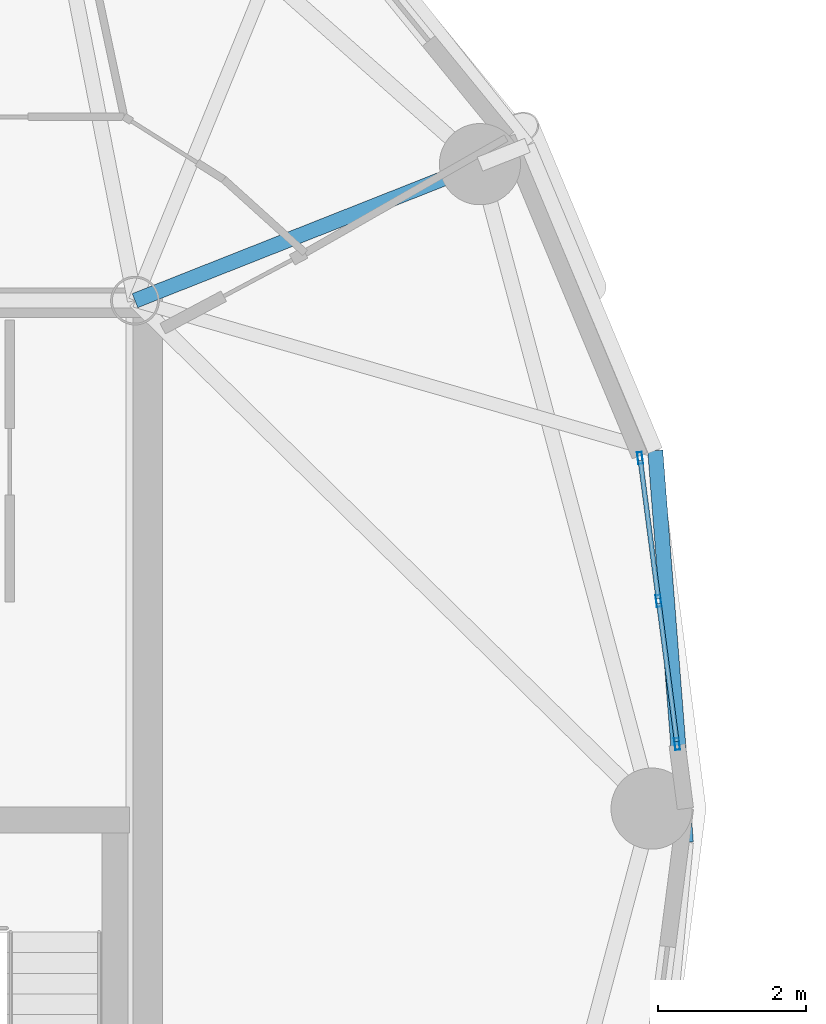
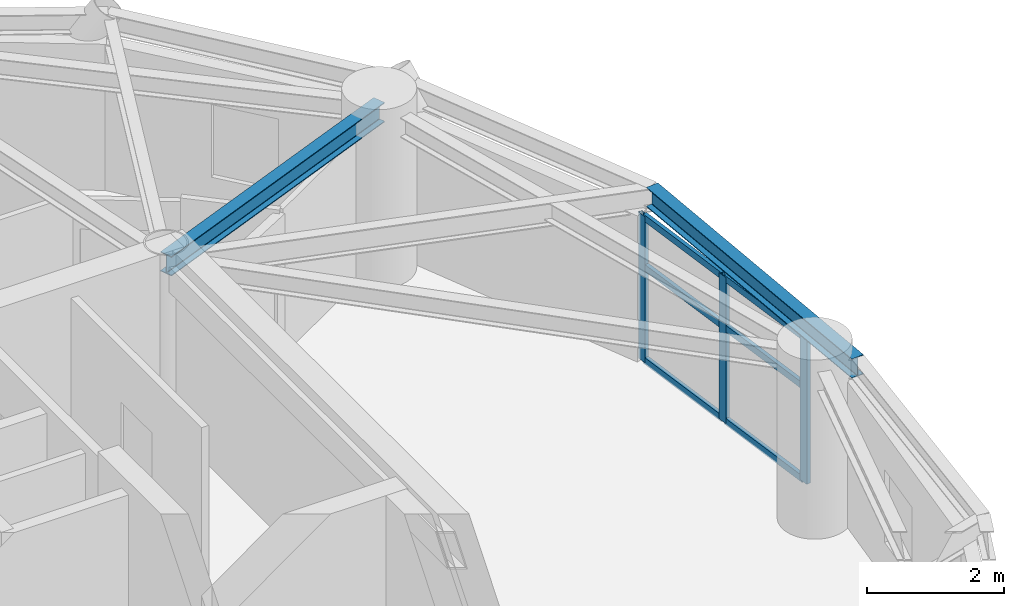
# One storey, part 3 of 15: 9 members, 2 beams, 1 element without a shape of its own.
"""IFC4 building model written with IfcOpenShell, lengths in metres."""

import ifcopenshell
import ifcopenshell.guid

model = None  # the IFC model being written
_history = None  # IfcOwnerHistory: only IFC2X3 demands one
_inside = {}  # id of a spatial element -> (the spatial element, [elements in it])
_under = {}  # id of a project, library or spatial element -> (it, [spatial elements below it])
_declared = {}  # id of a project -> (the project, [libraries it declares])
_typed = {}  # id of a type object -> (the type object, [elements of that type])
_made_of = {}  # id of a material, layer set ... -> (it, [elements and type objects made of it])


def new_model(schema):
    """Start an empty IFC model of exactly this schema.

    Asked for "IFC4X3", IfcOpenShell would pick the latest addendum, in which some entities
    have other attributes; the version numbers below select the first issue.
    IFC2X3 requires an IfcOwnerHistory on every rooted entity: one is made here for all.
    """
    global model, _history
    if schema == "IFC4X3":
        model = ifcopenshell.file(schema_version=(4, 3, 0, 0))
    else:
        model = ifcopenshell.file(schema=schema)
    _inside.clear()
    _under.clear()
    _declared.clear()
    _typed.clear()
    _made_of.clear()
    _history = None
    if model.schema == "IFC2X3":
        org = make("IfcOrganization", Name="unknown")
        user = make(
            "IfcPersonAndOrganization",
            ThePerson=make("IfcPerson", FamilyName="unknown"),
            TheOrganization=org,
        )
        app = make(
            "IfcApplication",
            ApplicationDeveloper=org,
            Version="unknown",
            ApplicationFullName="unknown",
            ApplicationIdentifier="unknown",
        )
        _history = make(
            "IfcOwnerHistory",
            OwningUser=user,
            OwningApplication=app,
            ChangeAction="ADDED",
            CreationDate=0,
        )
    return model


def make(cls, **values):
    """One entity of the class cls with the attributes given. An attribute that is None is left unset."""
    return model.create_entity(
        cls, **{name: value for name, value in values.items() if value is not None}
    )


def rooted(cls, **values):
    """An entity with a GlobalId (a new one), such as an element, a storey or a relation."""
    return make(cls, GlobalId=ifcopenshell.guid.new(), OwnerHistory=_history, **values)


def si_unit(unit_type, name, prefix=None):
    """IfcSIUnit, for example si_unit("LENGTHUNIT", "METRE", prefix="MILLI")."""
    return make("IfcSIUnit", UnitType=unit_type, Prefix=prefix, Name=name)


def assignment(units):
    """IfcUnitAssignment: the units of a project."""
    return None if units is None else make("IfcUnitAssignment", Units=units)


def point(xyz):
    """IfcCartesianPoint."""
    return None if xyz is None else make("IfcCartesianPoint", Coordinates=xyz)


def direction(xyz):
    """IfcDirection."""
    return None if xyz is None else make("IfcDirection", DirectionRatios=xyz)


def frame(location, z_axis=None, x_axis=None):
    """IfcAxis2Placement3D, a coordinate frame: its origin and axes. An axis left out is left unset."""
    return make(
        "IfcAxis2Placement3D",
        Location=point(location),
        Axis=direction(z_axis),
        RefDirection=direction(x_axis),
    )


def frame_2d(location, x_axis=None):
    """IfcAxis2Placement2D, a coordinate frame in the plane: its origin and x axis."""
    return make(
        "IfcAxis2Placement2D", Location=point(location), RefDirection=direction(x_axis)
    )


def origin():
    """The frame at (0, 0, 0) with its axes left unset."""
    return frame((0.0, 0.0, 0.0))


def origin_2d():
    """The frame at (0, 0) in the plane with its x axis left unset."""
    return frame_2d((0.0, 0.0))


def place(relative_to, where):
    """IfcLocalPlacement: puts the frame where relative to a parent placement (None: the world)."""
    return make(
        "IfcLocalPlacement", PlacementRelTo=relative_to, RelativePlacement=where
    )


def context(
    kind, dimensions, precision=None, world=None, true_north=None, identifier=None
):
    """IfcGeometricRepresentationContext, for example the 3D "Model" context."""
    return make(
        "IfcGeometricRepresentationContext",
        ContextIdentifier=identifier,
        ContextType=kind,
        CoordinateSpaceDimension=dimensions,
        Precision=precision,
        WorldCoordinateSystem=world,
        TrueNorth=true_north,
    )


def subcontext(parent, identifier, kind, view, scale=None):
    """IfcGeometricRepresentationSubContext, for example "Body" below "Model"."""
    return make(
        "IfcGeometricRepresentationSubContext",
        ContextIdentifier=identifier,
        ContextType=kind,
        ParentContext=parent,
        TargetScale=scale,
        TargetView=view,
    )


def project(units=None, contexts=None):
    """IfcProject with its units and contexts."""
    return rooted(
        "IfcProject",
        Name="project",
        RepresentationContexts=contexts,
        UnitsInContext=assignment(units),
    )


def spatial(cls, under=None, at=None, **own):
    """A site, building, storey or space (cls), placed at a placement, below another one or the project."""
    s = rooted(cls, ObjectPlacement=at, **own)
    if under is not None:
        _under.setdefault(under.id(), (under, []))[1].append(s)
    return s


def profile(cls, at=None, kind="AREA", **sizes):
    """A parametric profile (cls). Its sizes go by their IFC names, for example OverallWidth=200.0."""
    return make(cls, ProfileType=kind, Position=at, **sizes)


def hollow_rectangle(**sizes):
    """IfcRectangleHollowProfileDef."""
    return profile("IfcRectangleHollowProfileDef", **sizes)


def i_section(**sizes):
    """IfcIShapeProfileDef."""
    return profile("IfcIShapeProfileDef", **sizes)


def extrude(swept, where, along, depth):
    """IfcExtrudedAreaSolid: the profile swept, set in the frame where, extruded along a direction by depth."""
    return make(
        "IfcExtrudedAreaSolid",
        SweptArea=swept,
        Position=where,
        ExtrudedDirection=direction(along),
        Depth=depth,
    )


def shape(context_of_items, identifier, shape_type, items):
    """IfcShapeRepresentation: the items that make up one representation, for example the "Body"."""
    return make(
        "IfcShapeRepresentation",
        ContextOfItems=context_of_items,
        RepresentationIdentifier=identifier,
        RepresentationType=shape_type,
        Items=items,
    )


def material(Name=None, Category=None):
    """IfcMaterial."""
    return make("IfcMaterial", Name=Name, Category=Category)


def layer(
    of_material, thickness, ventilated=None, Name=None, Category=None, Priority=None
):
    """IfcMaterialLayer: one layer of a wall or slab, of a material (None: an air gap)."""
    return make(
        "IfcMaterialLayer",
        Material=of_material,
        LayerThickness=thickness,
        IsVentilated=ventilated,
        Name=Name,
        Category=Category,
        Priority=Priority,
    )


def layer_set(layers, Name=None):
    """IfcMaterialLayerSet."""
    return make("IfcMaterialLayerSet", MaterialLayers=layers, LayerSetName=Name)


def material_profile(
    of_material, cross_section, Name=None, Category=None, Priority=None
):
    """IfcMaterialProfile: a cross section and its material."""
    return make(
        "IfcMaterialProfile",
        Name=Name,
        Material=of_material,
        Profile=cross_section,
        Priority=Priority,
        Category=Category,
    )


def profile_set(profiles, Name=None, composite=None):
    """IfcMaterialProfileSet."""
    return make(
        "IfcMaterialProfileSet",
        Name=Name,
        MaterialProfiles=profiles,
        CompositeProfile=composite,
    )


def made_of(thing, what):
    """Note that an element or type object is made of a material, layer set ...; save() writes the relation."""
    if what is not None:
        _made_of.setdefault(what.id(), (what, []))[1].append(thing)
    return thing


def type_object(cls, material=None, **own):
    """A type object (cls), such as IfcWallType, which elements share."""
    return made_of(rooted(cls, **own), material)


def element(
    cls,
    number,
    at=None,
    inside=None,
    cuts=None,
    type_object=None,
    material=None,
    context=None,
    identifier="Body",
    shape_type=None,
    held_by="IfcProductDefinitionShape",
    body=None,
    shapes=None,
    **own,
):
    """One element of the class cls, such as IfcWall. Its Tag is "e" and its number.

    at: its placement. inside: the storey or other place that contains it. cuts: it is an
    opening in that element (IfcRelVoidsElement). A single representation is given by context,
    identifier, shape_type and body (its items); several are given by shapes. held_by: the class
    of the entity that holds the representations. save() writes the other relations.
    """
    e = rooted(cls, Tag="e%d" % number, ObjectPlacement=at, **own)
    if body is not None:
        shapes = [shape(context, identifier, shape_type, body)]
    if shapes is not None:
        e.Representation = make(held_by, Representations=shapes)
    if inside is not None:
        _inside.setdefault(inside.id(), (inside, []))[1].append(e)
    if cuts is not None:
        rooted(
            "IfcRelVoidsElement", RelatingBuildingElement=cuts, RelatedOpeningElement=e
        )
    if type_object is not None:
        _typed.setdefault(type_object.id(), (type_object, []))[1].append(e)
    return made_of(e, material)


def aggregate(whole, parts):
    """IfcRelAggregates: a whole, such as a stair, and the parts it consists of."""
    return rooted("IfcRelAggregates", RelatingObject=whole, RelatedObjects=parts)


def save(model, path):
    """Write the relations noted so far, then the file.

    IfcRelAggregates (storeys below a building ...), IfcRelContainedInSpatialStructure (elements
    in a storey), IfcRelDefinesByType, IfcRelAssociatesMaterial and IfcRelDeclares: one each for
    every whole, place, type object, material and project.
    """
    for whole, parts in _under.values():
        aggregate(whole, parts)
    for where, things in _inside.values():
        rooted(
            "IfcRelContainedInSpatialStructure",
            RelatedElements=things,
            RelatingStructure=where,
        )
    for kind, things in _typed.values():
        rooted("IfcRelDefinesByType", RelatedObjects=things, RelatingType=kind)
    for what, things in _made_of.values():
        rooted("IfcRelAssociatesMaterial", RelatedObjects=things, RelatingMaterial=what)
    for by, libraries in _declared.values():
        rooted("IfcRelDeclares", RelatingContext=by, RelatedDefinitions=libraries)
    model.write(path)


model = new_model("IFC4")

# Units and contexts
model_context = context("Model", 3, precision=1e-05, world=origin(), true_north=direction((0.0, 1.0)))
body_context = subcontext(model_context, "Body", "Model", "MODEL_VIEW")
ifc_project = project(units=[si_unit("LENGTHUNIT", "METRE"), si_unit("AREAUNIT", "SQUARE_METRE"), si_unit("VOLUMEUNIT", "CUBIC_METRE"), si_unit("PLANEANGLEUNIT", "RADIAN"), si_unit("MASSUNIT", "GRAM", prefix="KILO")], contexts=[model_context])

# Site, building, storey
site_placement = place(None, origin())
site = spatial("IfcSite", under=ifc_project, at=site_placement, CompositionType="ELEMENT")
building_placement = place(site_placement, origin())
building = spatial("IfcBuilding", under=site, at=building_placement, Name="Cununo Teusaquillo Station Towers", CompositionType="ELEMENT")
storey_placement = place(building_placement, frame((0.0, 0.0, 229.25)))
storey = spatial("IfcBuildingStorey", under=building, at=storey_placement, Name="L73", CompositionType="ELEMENT", Elevation=229.25)

# Beams
ifc_material_1 = material(Name="Steel ASTM A572 Grade 50", Category="steel")
ifc_material_profile_1 = material_profile(ifc_material_1, i_section(OverallWidth=0.2041015625, OverallDepth=0.35009765625, WebThickness=0.008544921875, FlangeThickness=0.01513671875, FilletRadius=0.011962890625, at=origin_2d()), Name="W14X48")
ifc_profile_set_1 = profile_set([ifc_material_profile_1], Name="Steel ASTM A572 Grade 50")
beam_type_1 = type_object("IfcBeamType", Name="BM-RAD-G3", PredefinedType="BEAM", material=ifc_profile_set_1)
beam_1_placement = place(storey_placement, frame((21.675048828125, 31.3798828125, 2.81494140625), z_axis=(0.929864104313, 0.367903176814, 0.0), x_axis=(-0.367903176814, 0.929864104313, 0.0)))
element("IfcBeam", 1, at=beam_1_placement, inside=storey, type_object=beam_type_1, Name="L73 Tower A Radial Girder 02A", PredefinedType="BEAM", context=body_context, shape_type="SweptSolid", body=[
    extrude(i_section(OverallWidth=0.2041015625, OverallDepth=0.35009765625, WebThickness=0.008544921875, FlangeThickness=0.01513671875, FilletRadius=0.011962890625, at=origin_2d()), origin(), (0.0, 0.0, 1.0), 5.02490234375),
])
ifc_material_2 = material(Name="Steel ASTM A572 Grade 50", Category="steel")
ifc_material_profile_2 = material_profile(ifc_material_2, i_section(OverallWidth=0.2041015625, OverallDepth=0.35009765625, WebThickness=0.008544921875, FlangeThickness=0.01513671875, FilletRadius=0.011962890625, at=origin_2d()), Name="W14X48")
ifc_profile_set_2 = profile_set([ifc_material_profile_2], Name="Steel ASTM A572 Grade 50")
beam_type_2 = type_object("IfcBeamType", Name="BM-RING-Z4", PredefinedType="SPANDREL", material=ifc_profile_set_2)
beam_2_placement = place(storey_placement, frame((29.135498046875, 24.044189453125, 2.81494140625), z_axis=(-0.077871988965, 0.996963366095, 0.0), x_axis=(-0.996963366095, -0.077871988965, 0.0)))
element("IfcBeam", 2, at=beam_2_placement, inside=storey, type_object=beam_type_2, Name="L73 Tower A Spandrel Ring Beam 01", PredefinedType="SPANDREL", context=body_context, shape_type="SweptSolid", body=[
    extrude(i_section(OverallWidth=0.2041015625, OverallDepth=0.35009765625, WebThickness=0.008544921875, FlangeThickness=0.01513671875, FilletRadius=0.011962890625, at=origin_2d()), origin(), (0.0, 0.0, 1.0), 5.3203125),
])

# Curtain wall, members
ifc_material_3 = material(Name="Ceramic-fritted dark low-E double glazing", Category="glass")
ifc_layer = layer(ifc_material_3, 0.179931640625)
ifc_layer_set = layer_set([ifc_layer], Name="Ceramic-fritted dark low-E double glazing")
curtain_wall_type = type_object("IfcCurtainWallType", Name="CW-SYS-07", PredefinedType="USERDEFINED", material=ifc_layer_set)
curtain_wall_placement = place(storey_placement, origin())
curtain_wall = element("IfcCurtainWall", 3, at=curtain_wall_placement, inside=storey, type_object=curtain_wall_type, Name="L73 Tower A Facade Curtain Wall C00", ObjectType="FRITTED GLAZING", PredefinedType="USERDEFINED")
ifc_material_4 = material(Name="Anodised dark bronze aluminium EN AW-6063-T6", Category="aluminium")
ifc_material_profile_3 = material_profile(ifc_material_4, hollow_rectangle(XDim=0.06494140625, YDim=0.159912109375, WallThickness=0.00390625, at=origin_2d()), Name="CW-MULL-65x160")
ifc_profile_set_3 = profile_set([ifc_material_profile_3], Name="Anodised dark bronze aluminium EN AW-6063-T6")
member_type_1 = type_object("IfcMemberType", Name="CWM-160", PredefinedType="MULLION", material=ifc_profile_set_3)
member_1_placement = place(storey_placement, frame((28.515869140625, 29.248291015625, 0.0), z_axis=(0.0, 0.0, 1.0), x_axis=(0.991741528461, 0.12825264413, 0.0)))
member_1 = element("IfcMember", 4, at=member_1_placement, type_object=member_type_1, Name="CW-07 mullion 1", PredefinedType="MULLION", context=body_context, shape_type="SweptSolid", body=[
    extrude(hollow_rectangle(XDim=0.06494140625, YDim=0.159912109375, WallThickness=0.00390625, at=origin_2d()), origin(), (0.0, 0.0, 1.0), 2.612060546875),
])
member_2_placement = place(storey_placement, frame((28.766357421875, 27.311767578125, 0.0), z_axis=(0.0, 0.0, 1.0), x_axis=(0.991741528461, 0.12825264413, 0.0)))
member_2 = element("IfcMember", 5, at=member_2_placement, type_object=member_type_1, Name="CW-07 mullion 2", PredefinedType="MULLION", context=body_context, shape_type="SweptSolid", body=[
    extrude(hollow_rectangle(XDim=0.06494140625, YDim=0.159912109375, WallThickness=0.00390625, at=origin_2d()), origin(), (0.0, 0.0, 1.0), 2.612060546875),
])
member_3_placement = place(storey_placement, frame((29.016845703125, 25.375244140625, 0.0), z_axis=(0.0, 0.0, 1.0), x_axis=(0.991741528461, 0.12825264413, 0.0)))
member_3 = element("IfcMember", 6, at=member_3_placement, type_object=member_type_1, Name="CW-07 mullion 3", PredefinedType="MULLION", context=body_context, shape_type="SweptSolid", body=[
    extrude(hollow_rectangle(XDim=0.06494140625, YDim=0.159912109375, WallThickness=0.00390625, at=origin_2d()), origin(), (0.0, 0.0, 1.0), 2.612060546875),
])
ifc_material_5 = material(Name="Anodised dark bronze aluminium EN AW-6063-T6", Category="aluminium")
ifc_material_profile_4 = material_profile(ifc_material_5, hollow_rectangle(XDim=0.06494140625, YDim=0.1201171875, WallThickness=0.00390625, at=origin_2d()), Name="CW-TRAN-65x120")
ifc_profile_set_4 = profile_set([ifc_material_profile_4], Name="Anodised dark bronze aluminium EN AW-6063-T6")
member_type_2 = type_object("IfcMemberType", Name="CWT-120", PredefinedType="USERDEFINED", material=ifc_profile_set_4)
member_4_placement = place(storey_placement, frame((28.52001953125, 29.216064453125, 0.032470703125), z_axis=(0.128299630595, -0.99173545101, 0.0), x_axis=(0.99173545101, 0.128299630595, 0.0)))
member_4 = element("IfcMember", 7, at=member_4_placement, type_object=member_type_2, Name="CW-07 transom 1.1", ObjectType="TRANSOM", PredefinedType="USERDEFINED", context=body_context, shape_type="SweptSolid", body=[
    extrude(hollow_rectangle(XDim=0.06494140625, YDim=0.1201171875, WallThickness=0.00390625, at=origin_2d()), origin(), (0.0, 0.0, 1.0), 1.8876953125),
])
member_5_placement = place(storey_placement, frame((28.52001953125, 29.216064453125, 1.697998046875), z_axis=(0.128299630595, -0.99173545101, 0.0), x_axis=(0.99173545101, 0.128299630595, 0.0)))
member_5 = element("IfcMember", 8, at=member_5_placement, type_object=member_type_2, Name="CW-07 transom 1.2", ObjectType="TRANSOM", PredefinedType="USERDEFINED", context=body_context, shape_type="SweptSolid", body=[
    extrude(hollow_rectangle(XDim=0.06494140625, YDim=0.1201171875, WallThickness=0.00390625, at=origin_2d()), origin(), (0.0, 0.0, 1.0), 1.8876953125),
])
member_6_placement = place(storey_placement, frame((28.52001953125, 29.216064453125, 2.57958984375), z_axis=(0.128299630595, -0.99173545101, 0.0), x_axis=(0.99173545101, 0.128299630595, 0.0)))
member_6 = element("IfcMember", 9, at=member_6_placement, type_object=member_type_2, Name="CW-07 transom 1.3", ObjectType="TRANSOM", PredefinedType="USERDEFINED", context=body_context, shape_type="SweptSolid", body=[
    extrude(hollow_rectangle(XDim=0.06494140625, YDim=0.1201171875, WallThickness=0.00390625, at=origin_2d()), origin(), (0.0, 0.0, 1.0), 1.8876953125),
])
member_7_placement = place(storey_placement, frame((28.7705078125, 27.279541015625, 0.032470703125), z_axis=(0.128299630595, -0.99173545101, 0.0), x_axis=(0.99173545101, 0.128299630595, 0.0)))
member_7 = element("IfcMember", 10, at=member_7_placement, type_object=member_type_2, Name="CW-07 transom 2.1", ObjectType="TRANSOM", PredefinedType="USERDEFINED", context=body_context, shape_type="SweptSolid", body=[
    extrude(hollow_rectangle(XDim=0.06494140625, YDim=0.1201171875, WallThickness=0.00390625, at=origin_2d()), origin(), (0.0, 0.0, 1.0), 1.8876953125),
])
member_8_placement = place(storey_placement, frame((28.7705078125, 27.279541015625, 1.697998046875), z_axis=(0.128299630595, -0.99173545101, 0.0), x_axis=(0.99173545101, 0.128299630595, 0.0)))
member_8 = element("IfcMember", 11, at=member_8_placement, type_object=member_type_2, Name="CW-07 transom 2.2", ObjectType="TRANSOM", PredefinedType="USERDEFINED", context=body_context, shape_type="SweptSolid", body=[
    extrude(hollow_rectangle(XDim=0.06494140625, YDim=0.1201171875, WallThickness=0.00390625, at=origin_2d()), origin(), (0.0, 0.0, 1.0), 1.8876953125),
])
member_9_placement = place(storey_placement, frame((28.7705078125, 27.279541015625, 2.57958984375), z_axis=(0.128299630595, -0.99173545101, 0.0), x_axis=(0.99173545101, 0.128299630595, 0.0)))
member_9 = element("IfcMember", 12, at=member_9_placement, type_object=member_type_2, Name="CW-07 transom 2.3", ObjectType="TRANSOM", PredefinedType="USERDEFINED", context=body_context, shape_type="SweptSolid", body=[
    extrude(hollow_rectangle(XDim=0.06494140625, YDim=0.1201171875, WallThickness=0.00390625, at=origin_2d()), origin(), (0.0, 0.0, 1.0), 1.8876953125),
])
aggregate(curtain_wall, [member_1, member_2, member_3, member_4, member_5, member_6, member_7, member_8, member_9])

save(model, "model.ifc")
